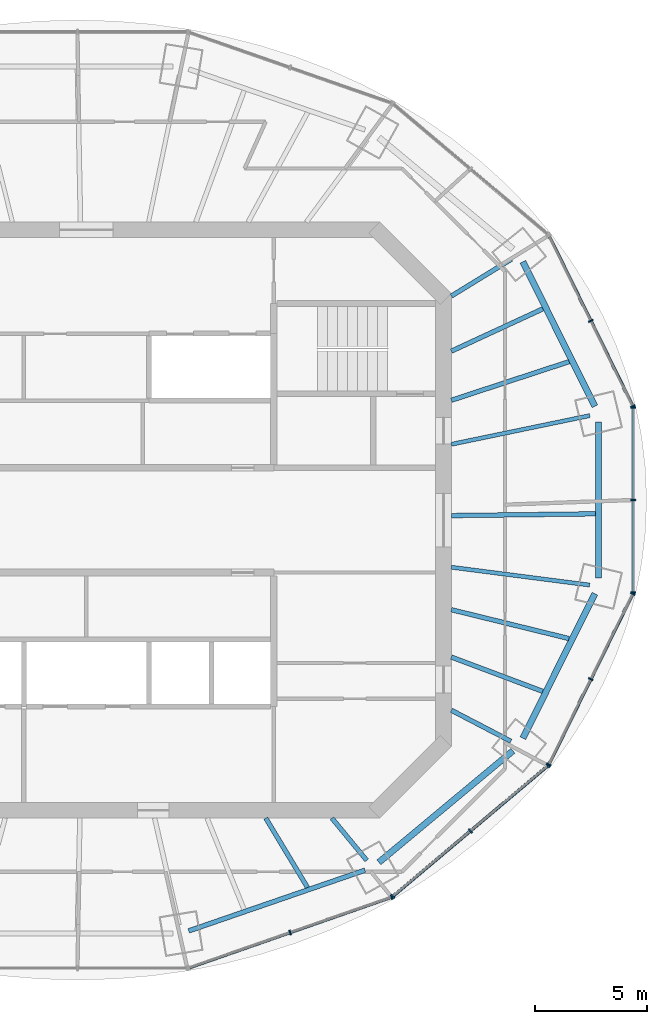
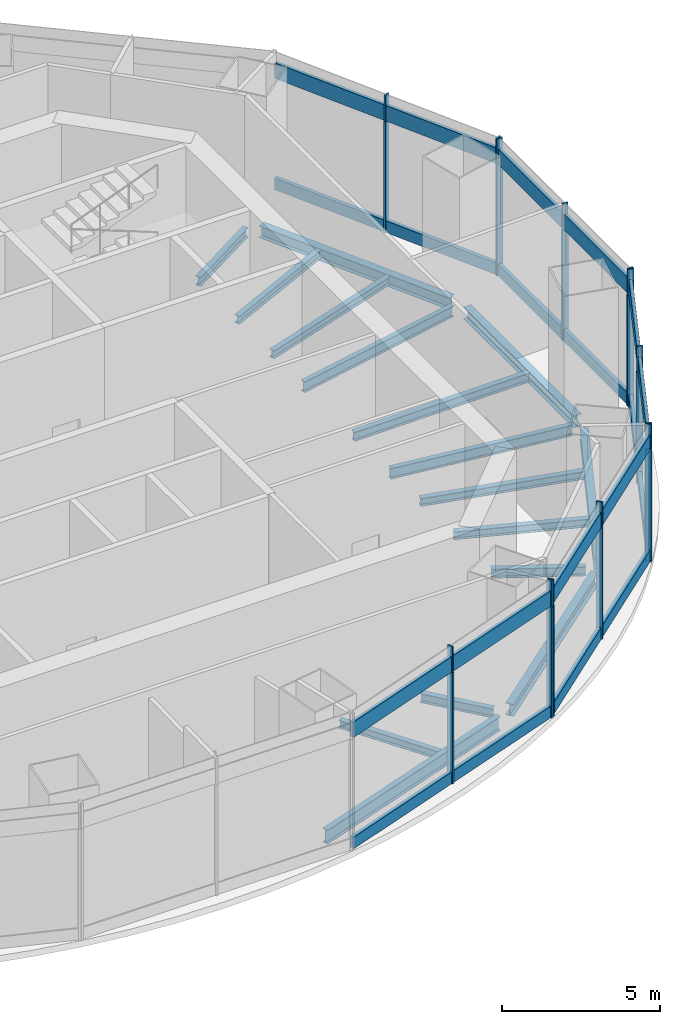
# One storey, part 4 of 13: 36 members, 16 beams, 10 elements without a shape of their own.
"""IFC4 building model written with IfcOpenShell, lengths in metres."""

from ifc_helpers import new_model, si_unit, direction, frame, origin, origin_2d, place, context, subcontext, project, spatial, rectangle, i_section, extrude, material, material_profile, profile_set, type_object, element, aggregate, save


model = new_model("IFC4")

# Units and contexts
model_context = context("Model", 3, precision=1e-05, world=origin(), true_north=direction((0.0, 1.0)))
body_context = subcontext(model_context, "Body", "Model", "MODEL_VIEW")
ifc_project = project(units=[si_unit("LENGTHUNIT", "METRE"), si_unit("AREAUNIT", "SQUARE_METRE"), si_unit("VOLUMEUNIT", "CUBIC_METRE"), si_unit("PLANEANGLEUNIT", "RADIAN"), si_unit("MASSUNIT", "GRAM", prefix="KILO")], contexts=[model_context])

# Site, building, storey
site_placement = place(None, origin())
site = spatial("IfcSite", under=ifc_project, at=site_placement, CompositionType="ELEMENT")
building_placement = place(site_placement, origin())
building = spatial("IfcBuilding", under=site, at=building_placement, Name="Marenthal Gate Tower", CompositionType="ELEMENT")
storey_placement = place(building_placement, frame((0.0, 0.0, 401.949951171875)))
storey = spatial("IfcBuildingStorey", under=building, at=storey_placement, Name="L91", CompositionType="ELEMENT", Elevation=401.949951171875)

# Curtain wall, members
ifc_material_1 = material(Name="Aluminium and glass", Category="aluminium")
curtain_wall_type_1 = type_object("IfcCurtainWallType", Name="Curtain wall crown clad", PredefinedType="NOTDEFINED", material=ifc_material_1)
curtain_wall_1_placement = place(storey_placement, origin())
curtain_wall_1 = element("IfcCurtainWall", 1, at=curtain_wall_1_placement, inside=storey, type_object=curtain_wall_type_1, Name="Curtain wall L91 bay 1 head band", PredefinedType="NOTDEFINED")
ifc_material_2 = material(Name="Aluminium", Category="aluminium")
ifc_material_profile_1 = material_profile(ifc_material_2, rectangle(XDim=0.199951171875, YDim=0.06005859375, at=origin_2d()), Name="60x200 aluminium mullion")
ifc_profile_set_1 = profile_set([ifc_material_profile_1], Name="Aluminium")
member_type_1 = type_object("IfcMemberType", Name="Mullion 60x200 crown clad", PredefinedType="MULLION", material=ifc_profile_set_1)
member_1_placement = place(storey_placement, frame((24.47900390625, 5.097900390625, 4.300048828125), z_axis=(0.0, 0.0, 1.0), x_axis=(-0.897385793576, -0.441246798842, 0.0)))
member_1 = element("IfcMember", 2, at=member_1_placement, type_object=member_type_1, Name="Mullion L91 bay 1.1", PredefinedType="MULLION", context=body_context, shape_type="SweptSolid", body=[
    extrude(rectangle(XDim=0.199951171875, YDim=0.06005859375, at=origin_2d()), origin(), (0.0, 0.0, 1.0), 1.0),
])
member_2_placement = place(storey_placement, frame((22.597412109375, 8.924560546875, 4.300048828125), z_axis=(0.0, 0.0, 1.0), x_axis=(-0.897385793576, -0.441246798842, 0.0)))
member_2 = element("IfcMember", 3, at=member_2_placement, type_object=member_type_1, Name="Mullion L91 bay 1.2", PredefinedType="MULLION", context=body_context, shape_type="SweptSolid", body=[
    extrude(rectangle(XDim=0.199951171875, YDim=0.06005859375, at=origin_2d()), origin(), (0.0, 0.0, 1.0), 1.0),
])

curtain_wall_2_placement = place(storey_placement, origin())
curtain_wall_2 = element("IfcCurtainWall", 4, at=curtain_wall_2_placement, inside=storey, type_object=curtain_wall_type_1, Name="Curtain wall L91 bay 13 head band", PredefinedType="NOTDEFINED")
member_3_placement = place(storey_placement, frame((9.1259765625, -18.472900390625, 4.300048828125), z_axis=(0.0, 0.0, 1.0), x_axis=(-0.329453888639, 0.944171666203, 0.0)))
member_3 = element("IfcMember", 5, at=member_3_placement, type_object=member_type_1, Name="Mullion L91 bay 13.2", PredefinedType="MULLION", context=body_context, shape_type="SweptSolid", body=[
    extrude(rectangle(XDim=0.199951171875, YDim=0.06005859375, at=origin_2d()), origin(), (0.0, 0.0, 1.0), 1.0),
])
member_4_placement = place(storey_placement, frame((13.672119140625, -16.88671875, 4.300048828125), z_axis=(0.0, 0.0, 1.0), x_axis=(-0.329453888639, 0.944171666203, 0.0)))
member_4 = element("IfcMember", 6, at=member_4_placement, type_object=member_type_1, Name="Mullion L91 bay 13.3", PredefinedType="MULLION", context=body_context, shape_type="SweptSolid", body=[
    extrude(rectangle(XDim=0.199951171875, YDim=0.06005859375, at=origin_2d()), origin(), (0.0, 0.0, 1.0), 1.0),
])

curtain_wall_3_placement = place(storey_placement, origin())
curtain_wall_3 = element("IfcCurtainWall", 7, at=curtain_wall_3_placement, inside=storey, type_object=curtain_wall_type_1, Name="Curtain wall L91 bay 14 head band", PredefinedType="NOTDEFINED")
member_5_placement = place(storey_placement, frame((13.723388671875, -16.857421875, 4.300048828125), z_axis=(0.0, 0.0, 1.0), x_axis=(-0.644265226944, 0.764802142616, 0.0)))
member_5 = element("IfcMember", 8, at=member_5_placement, type_object=member_type_1, Name="Mullion L91 bay 14.1", PredefinedType="MULLION", context=body_context, shape_type="SweptSolid", body=[
    extrude(rectangle(XDim=0.199951171875, YDim=0.06005859375, at=origin_2d()), origin(), (0.0, 0.0, 1.0), 1.0),
])
member_6_placement = place(storey_placement, frame((17.20166015625, -13.927490234375, 4.300048828125), z_axis=(0.0, 0.0, 1.0), x_axis=(-0.644265226944, 0.764802142616, 0.0)))
member_6 = element("IfcMember", 9, at=member_6_placement, type_object=member_type_1, Name="Mullion L91 bay 14.2", PredefinedType="MULLION", context=body_context, shape_type="SweptSolid", body=[
    extrude(rectangle(XDim=0.199951171875, YDim=0.06005859375, at=origin_2d()), origin(), (0.0, 0.0, 1.0), 1.0),
])
member_7_placement = place(storey_placement, frame((20.6796875, -10.997314453125, 4.300048828125), z_axis=(0.0, 0.0, 1.0), x_axis=(-0.644265226944, 0.764802142616, 0.0)))
member_7 = element("IfcMember", 10, at=member_7_placement, type_object=member_type_1, Name="Mullion L91 bay 14.3", PredefinedType="MULLION", context=body_context, shape_type="SweptSolid", body=[
    extrude(rectangle(XDim=0.199951171875, YDim=0.06005859375, at=origin_2d()), origin(), (0.0, 0.0, 1.0), 1.0),
])

curtain_wall_4_placement = place(storey_placement, origin())
curtain_wall_4 = element("IfcCurtainWall", 11, at=curtain_wall_4_placement, inside=storey, type_object=curtain_wall_type_1, Name="Curtain wall L91 bay 15 head band", PredefinedType="NOTDEFINED")
member_8_placement = place(storey_placement, frame((20.7158203125, -10.951171875, 4.300048828125), z_axis=(0.0, 0.0, 1.0), x_axis=(-0.897385793576, 0.441246798842, 0.0)))
member_8 = element("IfcMember", 12, at=member_8_placement, type_object=member_type_1, Name="Mullion L91 bay 15.1", PredefinedType="MULLION", context=body_context, shape_type="SweptSolid", body=[
    extrude(rectangle(XDim=0.199951171875, YDim=0.06005859375, at=origin_2d()), origin(), (0.0, 0.0, 1.0), 1.0),
])
member_9_placement = place(storey_placement, frame((22.597412109375, -7.12451171875, 4.300048828125), z_axis=(0.0, 0.0, 1.0), x_axis=(-0.897385793576, 0.441246798842, 0.0)))
member_9 = element("IfcMember", 13, at=member_9_placement, type_object=member_type_1, Name="Mullion L91 bay 15.2", PredefinedType="MULLION", context=body_context, shape_type="SweptSolid", body=[
    extrude(rectangle(XDim=0.199951171875, YDim=0.06005859375, at=origin_2d()), origin(), (0.0, 0.0, 1.0), 1.0),
])
member_10_placement = place(storey_placement, frame((24.47900390625, -3.2978515625, 4.300048828125), z_axis=(0.0, 0.0, 1.0), x_axis=(-0.897385793576, 0.441246798842, 0.0)))
member_10 = element("IfcMember", 14, at=member_10_placement, type_object=member_type_1, Name="Mullion L91 bay 15.3", PredefinedType="MULLION", context=body_context, shape_type="SweptSolid", body=[
    extrude(rectangle(XDim=0.199951171875, YDim=0.06005859375, at=origin_2d()), origin(), (0.0, 0.0, 1.0), 1.0),
])

curtain_wall_5_placement = place(storey_placement, origin())
curtain_wall_5 = element("IfcCurtainWall", 15, at=curtain_wall_5_placement, inside=storey, type_object=curtain_wall_type_1, Name="Curtain wall L91 bay 16 head band", PredefinedType="NOTDEFINED")
member_11_placement = place(storey_placement, frame((24.4921875, -3.240966796875, 4.300048828125), z_axis=(0.0, 0.0, 1.0), x_axis=(-1.0, 0.0, 0.0)))
member_11 = element("IfcMember", 16, at=member_11_placement, type_object=member_type_1, Name="Mullion L91 bay 16.1", PredefinedType="MULLION", context=body_context, shape_type="SweptSolid", body=[
    extrude(rectangle(XDim=0.199951171875, YDim=0.06005859375, at=origin_2d()), origin(), (0.0, 0.0, 1.0), 1.0),
])
member_12_placement = place(storey_placement, frame((24.4921875, 0.89990234375, 4.300048828125), z_axis=(0.0, 0.0, 1.0), x_axis=(-1.0, 0.0, 0.0)))
member_12 = element("IfcMember", 17, at=member_12_placement, type_object=member_type_1, Name="Mullion L91 bay 16.2", PredefinedType="MULLION", context=body_context, shape_type="SweptSolid", body=[
    extrude(rectangle(XDim=0.199951171875, YDim=0.06005859375, at=origin_2d()), origin(), (0.0, 0.0, 1.0), 1.0),
])
member_13_placement = place(storey_placement, frame((24.4921875, 5.041015625, 4.300048828125), z_axis=(0.0, 0.0, 1.0), x_axis=(-1.0, 0.0, 0.0)))
member_13 = element("IfcMember", 18, at=member_13_placement, type_object=member_type_1, Name="Mullion L91 bay 16.3", PredefinedType="MULLION", context=body_context, shape_type="SweptSolid", body=[
    extrude(rectangle(XDim=0.199951171875, YDim=0.06005859375, at=origin_2d()), origin(), (0.0, 0.0, 1.0), 1.0),
])

ifc_material_3 = material(Name="Aluminium and glass", Category="aluminium")
curtain_wall_type_2 = type_object("IfcCurtainWallType", Name="Curtain wall observation", PredefinedType="NOTDEFINED", material=ifc_material_3)
curtain_wall_6_placement = place(storey_placement, origin())
curtain_wall_6 = element("IfcCurtainWall", 19, at=curtain_wall_6_placement, inside=storey, type_object=curtain_wall_type_2, Name="Curtain wall L91 bay 1", PredefinedType="NOTDEFINED")
ifc_material_4 = material(Name="Aluminium", Category="aluminium")
ifc_material_profile_2 = material_profile(ifc_material_4, rectangle(XDim=0.219970703125, YDim=0.070068359375, at=origin_2d()), Name="70x220 aluminium mullion")
ifc_profile_set_2 = profile_set([ifc_material_profile_2], Name="Aluminium")
member_type_2 = type_object("IfcMemberType", Name="Mullion 70x220 observation", PredefinedType="MULLION", material=ifc_profile_set_2)
member_14_placement = place(storey_placement, frame((24.47900390625, 5.097900390625, 0.0), z_axis=(0.0, 0.0, 1.0), x_axis=(-0.897385793576, -0.441246798842, 0.0)))
member_14 = element("IfcMember", 20, at=member_14_placement, type_object=member_type_2, Name="Mullion L91 bay 1.1", PredefinedType="MULLION", context=body_context, shape_type="SweptSolid", body=[
    extrude(rectangle(XDim=0.219970703125, YDim=0.070068359375, at=origin_2d()), origin(), (0.0, 0.0, 1.0), 4.300048828125),
])
member_15_placement = place(storey_placement, frame((22.597412109375, 8.924560546875, 0.0), z_axis=(0.0, 0.0, 1.0), x_axis=(-0.897385793576, -0.441246798842, 0.0)))
member_15 = element("IfcMember", 21, at=member_15_placement, type_object=member_type_2, Name="Mullion L91 bay 1.2", PredefinedType="MULLION", context=body_context, shape_type="SweptSolid", body=[
    extrude(rectangle(XDim=0.219970703125, YDim=0.070068359375, at=origin_2d()), origin(), (0.0, 0.0, 1.0), 4.300048828125),
])

curtain_wall_7_placement = place(storey_placement, origin())
curtain_wall_7 = element("IfcCurtainWall", 22, at=curtain_wall_7_placement, inside=storey, type_object=curtain_wall_type_2, Name="Curtain wall L91 bay 13", PredefinedType="NOTDEFINED")
member_16_placement = place(storey_placement, frame((9.1259765625, -18.472900390625, 0.0), z_axis=(0.0, 0.0, 1.0), x_axis=(-0.329453888639, 0.944171666203, 0.0)))
member_16 = element("IfcMember", 23, at=member_16_placement, type_object=member_type_2, Name="Mullion L91 bay 13.2", PredefinedType="MULLION", context=body_context, shape_type="SweptSolid", body=[
    extrude(rectangle(XDim=0.219970703125, YDim=0.070068359375, at=origin_2d()), origin(), (0.0, 0.0, 1.0), 4.300048828125),
])
member_17_placement = place(storey_placement, frame((13.672119140625, -16.88671875, 0.0), z_axis=(0.0, 0.0, 1.0), x_axis=(-0.329453888639, 0.944171666203, 0.0)))
member_17 = element("IfcMember", 24, at=member_17_placement, type_object=member_type_2, Name="Mullion L91 bay 13.3", PredefinedType="MULLION", context=body_context, shape_type="SweptSolid", body=[
    extrude(rectangle(XDim=0.219970703125, YDim=0.070068359375, at=origin_2d()), origin(), (0.0, 0.0, 1.0), 4.300048828125),
])

curtain_wall_8_placement = place(storey_placement, origin())
curtain_wall_8 = element("IfcCurtainWall", 25, at=curtain_wall_8_placement, inside=storey, type_object=curtain_wall_type_2, Name="Curtain wall L91 bay 14", PredefinedType="NOTDEFINED")
member_18_placement = place(storey_placement, frame((13.723388671875, -16.857421875, 0.0), z_axis=(0.0, 0.0, 1.0), x_axis=(-0.644265226944, 0.764802142616, 0.0)))
member_18 = element("IfcMember", 26, at=member_18_placement, type_object=member_type_2, Name="Mullion L91 bay 14.1", PredefinedType="MULLION", context=body_context, shape_type="SweptSolid", body=[
    extrude(rectangle(XDim=0.219970703125, YDim=0.070068359375, at=origin_2d()), origin(), (0.0, 0.0, 1.0), 4.300048828125),
])
member_19_placement = place(storey_placement, frame((17.20166015625, -13.927490234375, 0.0), z_axis=(0.0, 0.0, 1.0), x_axis=(-0.644265226944, 0.764802142616, 0.0)))
member_19 = element("IfcMember", 27, at=member_19_placement, type_object=member_type_2, Name="Mullion L91 bay 14.2", PredefinedType="MULLION", context=body_context, shape_type="SweptSolid", body=[
    extrude(rectangle(XDim=0.219970703125, YDim=0.070068359375, at=origin_2d()), origin(), (0.0, 0.0, 1.0), 4.300048828125),
])
member_20_placement = place(storey_placement, frame((20.6796875, -10.997314453125, 0.0), z_axis=(0.0, 0.0, 1.0), x_axis=(-0.644265226944, 0.764802142616, 0.0)))
member_20 = element("IfcMember", 28, at=member_20_placement, type_object=member_type_2, Name="Mullion L91 bay 14.3", PredefinedType="MULLION", context=body_context, shape_type="SweptSolid", body=[
    extrude(rectangle(XDim=0.219970703125, YDim=0.070068359375, at=origin_2d()), origin(), (0.0, 0.0, 1.0), 4.300048828125),
])

curtain_wall_9_placement = place(storey_placement, origin())
curtain_wall_9 = element("IfcCurtainWall", 29, at=curtain_wall_9_placement, inside=storey, type_object=curtain_wall_type_2, Name="Curtain wall L91 bay 15", PredefinedType="NOTDEFINED")
member_21_placement = place(storey_placement, frame((20.7158203125, -10.951171875, 0.0), z_axis=(0.0, 0.0, 1.0), x_axis=(-0.897385793576, 0.441246798842, 0.0)))
member_21 = element("IfcMember", 30, at=member_21_placement, type_object=member_type_2, Name="Mullion L91 bay 15.1", PredefinedType="MULLION", context=body_context, shape_type="SweptSolid", body=[
    extrude(rectangle(XDim=0.219970703125, YDim=0.070068359375, at=origin_2d()), origin(), (0.0, 0.0, 1.0), 4.300048828125),
])
member_22_placement = place(storey_placement, frame((22.597412109375, -7.12451171875, 0.0), z_axis=(0.0, 0.0, 1.0), x_axis=(-0.897385793576, 0.441246798842, 0.0)))
member_22 = element("IfcMember", 31, at=member_22_placement, type_object=member_type_2, Name="Mullion L91 bay 15.2", PredefinedType="MULLION", context=body_context, shape_type="SweptSolid", body=[
    extrude(rectangle(XDim=0.219970703125, YDim=0.070068359375, at=origin_2d()), origin(), (0.0, 0.0, 1.0), 4.300048828125),
])
member_23_placement = place(storey_placement, frame((24.47900390625, -3.2978515625, 0.0), z_axis=(0.0, 0.0, 1.0), x_axis=(-0.897385793576, 0.441246798842, 0.0)))
member_23 = element("IfcMember", 32, at=member_23_placement, type_object=member_type_2, Name="Mullion L91 bay 15.3", PredefinedType="MULLION", context=body_context, shape_type="SweptSolid", body=[
    extrude(rectangle(XDim=0.219970703125, YDim=0.070068359375, at=origin_2d()), origin(), (0.0, 0.0, 1.0), 4.300048828125),
])

curtain_wall_10_placement = place(storey_placement, origin())
curtain_wall_10 = element("IfcCurtainWall", 33, at=curtain_wall_10_placement, inside=storey, type_object=curtain_wall_type_2, Name="Curtain wall L91 bay 16", PredefinedType="NOTDEFINED")
member_24_placement = place(storey_placement, frame((24.4921875, -3.240966796875, 0.0), z_axis=(0.0, 0.0, 1.0), x_axis=(-1.0, 0.0, 0.0)))
member_24 = element("IfcMember", 34, at=member_24_placement, type_object=member_type_2, Name="Mullion L91 bay 16.1", PredefinedType="MULLION", context=body_context, shape_type="SweptSolid", body=[
    extrude(rectangle(XDim=0.219970703125, YDim=0.070068359375, at=origin_2d()), origin(), (0.0, 0.0, 1.0), 4.300048828125),
])
member_25_placement = place(storey_placement, frame((24.4921875, 0.89990234375, 0.0), z_axis=(0.0, 0.0, 1.0), x_axis=(-1.0, 0.0, 0.0)))
member_25 = element("IfcMember", 35, at=member_25_placement, type_object=member_type_2, Name="Mullion L91 bay 16.2", PredefinedType="MULLION", context=body_context, shape_type="SweptSolid", body=[
    extrude(rectangle(XDim=0.219970703125, YDim=0.070068359375, at=origin_2d()), origin(), (0.0, 0.0, 1.0), 4.300048828125),
])
member_26_placement = place(storey_placement, frame((24.4921875, 5.041015625, 0.0), z_axis=(0.0, 0.0, 1.0), x_axis=(-1.0, 0.0, 0.0)))
member_26 = element("IfcMember", 36, at=member_26_placement, type_object=member_type_2, Name="Mullion L91 bay 16.3", PredefinedType="MULLION", context=body_context, shape_type="SweptSolid", body=[
    extrude(rectangle(XDim=0.219970703125, YDim=0.070068359375, at=origin_2d()), origin(), (0.0, 0.0, 1.0), 4.300048828125),
])

# Member
ifc_material_5 = material(Name="Aluminium", Category="aluminium")
ifc_material_profile_3 = material_profile(ifc_material_5, rectangle(XDim=0.1201171875, YDim=0.60009765625, at=origin_2d()), Name="120x600 aluminium transom")
ifc_profile_set_3 = profile_set([ifc_material_profile_3], Name="Aluminium")
member_type_3 = type_object("IfcMemberType", Name="Transom 120x600 crown clad", PredefinedType="USERDEFINED", material=ifc_profile_set_3)
member_27_placement = place(storey_placement, frame((24.4658203125, 5.124755859375, 4.60009765625), z_axis=(-0.441230221133, 0.897393944686, 0.0), x_axis=(-0.897393944686, -0.441230221133, 0.0)))
member_27 = element("IfcMember", 37, at=member_27_placement, type_object=member_type_3, Name="Transom L91 bay 1", ObjectType="TRANSOM", PredefinedType="USERDEFINED", context=body_context, shape_type="SweptSolid", body=[
    extrude(rectangle(XDim=0.1201171875, YDim=0.60009765625, at=origin_2d()), origin(), (0.0, 0.0, 1.0), 8.468505859375),
])

aggregate(curtain_wall_1, [member_1, member_2, member_27])

member_28_placement = place(storey_placement, frame((4.608154296875, -20.04931640625, 4.60009765625), z_axis=(0.944172132846, 0.329452551299, 0.0), x_axis=(-0.329452551299, 0.944172132846, 0.0)))
member_28 = element("IfcMember", 38, at=member_28_placement, type_object=member_type_3, Name="Transom L91 bay 13", ObjectType="TRANSOM", PredefinedType="USERDEFINED", context=body_context, shape_type="SweptSolid", body=[
    extrude(rectangle(XDim=0.1201171875, YDim=0.60009765625, at=origin_2d()), origin(), (0.0, 0.0, 1.0), 9.56982421875),
])

aggregate(curtain_wall_2, [member_3, member_4, member_28])

member_29_placement = place(storey_placement, frame((13.746337890625, -16.838134765625, 4.60009765625), z_axis=(0.764801880801, 0.644265537743, 0.0), x_axis=(-0.644265537743, 0.764801880801, 0.0)))
member_29 = element("IfcMember", 39, at=member_29_placement, type_object=member_type_3, Name="Transom L91 bay 14", ObjectType="TRANSOM", PredefinedType="USERDEFINED", context=body_context, shape_type="SweptSolid", body=[
    extrude(rectangle(XDim=0.1201171875, YDim=0.60009765625, at=origin_2d()), origin(), (0.0, 0.0, 1.0), 9.03564453125),
])

aggregate(curtain_wall_3, [member_5, member_6, member_7, member_29])

member_30_placement = place(storey_placement, frame((20.729248046875, -10.92431640625, 4.60009765625), z_axis=(0.441241636508, 0.89738833189, 0.0), x_axis=(-0.89738833189, 0.441241636508, 0.0)))
member_30 = element("IfcMember", 40, at=member_30_placement, type_object=member_type_3, Name="Transom L91 bay 15", ObjectType="TRANSOM", PredefinedType="USERDEFINED", context=body_context, shape_type="SweptSolid", body=[
    extrude(rectangle(XDim=0.1201171875, YDim=0.60009765625, at=origin_2d()), origin(), (0.0, 0.0, 1.0), 8.46826171875),
])

aggregate(curtain_wall_4, [member_8, member_9, member_10, member_30])

member_31_placement = place(storey_placement, frame((24.4921875, -3.2109375, 4.60009765625), z_axis=(0.0, 1.0, 0.0), x_axis=(-1.0, 0.0, 0.0)))
member_31 = element("IfcMember", 41, at=member_31_placement, type_object=member_type_3, Name="Transom L91 bay 16", ObjectType="TRANSOM", PredefinedType="USERDEFINED", context=body_context, shape_type="SweptSolid", body=[
    extrude(rectangle(XDim=0.1201171875, YDim=0.60009765625, at=origin_2d()), origin(), (0.0, 0.0, 1.0), 8.221923828125),
])

aggregate(curtain_wall_5, [member_11, member_12, member_13, member_31])

ifc_material_6 = material(Name="Aluminium", Category="aluminium")
ifc_material_profile_4 = material_profile(ifc_material_6, rectangle(XDim=0.139892578125, YDim=0.449951171875, at=origin_2d()), Name="140x450 aluminium transom")
ifc_profile_set_4 = profile_set([ifc_material_profile_4], Name="Aluminium")
member_type_4 = type_object("IfcMemberType", Name="Transom 140x450 observation", PredefinedType="USERDEFINED", material=ifc_profile_set_4)
member_32_placement = place(storey_placement, frame((24.463623046875, 5.12939453125, 0.22509765625), z_axis=(-0.441246116327, 0.89738612917, 0.0), x_axis=(-0.89738612917, -0.441246116327, 0.0)))
member_32 = element("IfcMember", 42, at=member_32_placement, type_object=member_type_4, Name="Transom L91 bay 1", ObjectType="TRANSOM", PredefinedType="USERDEFINED", context=body_context, shape_type="SweptSolid", body=[
    extrude(rectangle(XDim=0.139892578125, YDim=0.449951171875, at=origin_2d()), origin(), (0.0, 0.0, 1.0), 8.458251953125),
])

aggregate(curtain_wall_6, [member_14, member_15, member_32])

member_33_placement = place(storey_placement, frame((4.61279296875, -20.0478515625, 0.22509765625), z_axis=(0.944170071894, 0.329458457684, 0.0), x_axis=(-0.329458457684, 0.944170071894, 0.0)))
member_33 = element("IfcMember", 43, at=member_33_placement, type_object=member_type_4, Name="Transom L91 bay 13", ObjectType="TRANSOM", PredefinedType="USERDEFINED", context=body_context, shape_type="SweptSolid", body=[
    extrude(rectangle(XDim=0.139892578125, YDim=0.449951171875, at=origin_2d()), origin(), (0.0, 0.0, 1.0), 9.56005859375),
])

aggregate(curtain_wall_7, [member_16, member_17, member_33])

member_34_placement = place(storey_placement, frame((13.75, -16.8349609375, 0.22509765625), z_axis=(0.764811585379, 0.644254017349, 0.0), x_axis=(-0.644254017349, 0.764811585379, 0.0)))
member_34 = element("IfcMember", 44, at=member_34_placement, type_object=member_type_4, Name="Transom L91 bay 14", ObjectType="TRANSOM", PredefinedType="USERDEFINED", context=body_context, shape_type="SweptSolid", body=[
    extrude(rectangle(XDim=0.139892578125, YDim=0.449951171875, at=origin_2d()), origin(), (0.0, 0.0, 1.0), 9.02587890625),
])

aggregate(curtain_wall_8, [member_18, member_19, member_20, member_34])

member_35_placement = place(storey_placement, frame((20.7314453125, -10.919677734375, 0.22509765625), z_axis=(0.441246116327, 0.89738612917, 0.0), x_axis=(-0.89738612917, 0.441246116327, 0.0)))
member_35 = element("IfcMember", 45, at=member_35_placement, type_object=member_type_4, Name="Transom L91 bay 15", ObjectType="TRANSOM", PredefinedType="USERDEFINED", context=body_context, shape_type="SweptSolid", body=[
    extrude(rectangle(XDim=0.139892578125, YDim=0.449951171875, at=origin_2d()), origin(), (0.0, 0.0, 1.0), 8.458251953125),
])

aggregate(curtain_wall_9, [member_21, member_22, member_23, member_35])

member_36_placement = place(storey_placement, frame((24.4921875, -3.2060546875, 0.22509765625), z_axis=(0.0, 1.0, 0.0), x_axis=(-1.0, 0.0, 0.0)))
member_36 = element("IfcMember", 46, at=member_36_placement, type_object=member_type_4, Name="Transom L91 bay 16", ObjectType="TRANSOM", PredefinedType="USERDEFINED", context=body_context, shape_type="SweptSolid", body=[
    extrude(rectangle(XDim=0.139892578125, YDim=0.449951171875, at=origin_2d()), origin(), (0.0, 0.0, 1.0), 8.212158203125),
])

aggregate(curtain_wall_10, [member_24, member_25, member_26, member_36])

# Beams
ifc_material_7 = material(Name="Steel S355", Category="steel")
ifc_material_profile_5 = material_profile(ifc_material_7, i_section(OverallWidth=0.205078125, OverallDepth=0.31005859375, WebThickness=0.009521484375, FlangeThickness=0.016357421875, FilletRadius=0.0126953125, at=origin_2d()), Name="W310X74")
ifc_profile_set_5 = profile_set([ifc_material_profile_5], Name="Steel S355")
beam_type_1 = type_object("IfcBeamType", Name="W310X74 beam", PredefinedType="BEAM", material=ifc_profile_set_5)
beam_1_placement = place(storey_placement, frame((21.624267578125, 7.097900390625, -0.405029296875), z_axis=(-0.950124683801, -0.311870301941, 0.0), x_axis=(0.311870301941, -0.950124683801, 0.0)))
element("IfcBeam", 47, at=beam_1_placement, inside=storey, type_object=beam_type_1, Name="BM-L91-17", PredefinedType="BEAM", context=body_context, shape_type="SweptSolid", body=[
    extrude(i_section(OverallWidth=0.205078125, OverallDepth=0.31005859375, WebThickness=0.009521484375, FlangeThickness=0.016357421875, FilletRadius=0.0126953125, at=origin_2d()), origin(), (0.0, 0.0, 1.0), 5.551025390625),
])
beam_2_placement = place(storey_placement, frame((20.447021484375, 9.46240234375, -0.405029296875), z_axis=(-0.907528370112, -0.419990782569, 0.0), x_axis=(0.419990782569, -0.907528370112, 0.0)))
element("IfcBeam", 48, at=beam_2_placement, inside=storey, type_object=beam_type_1, Name="BM-L91-18", PredefinedType="BEAM", context=body_context, shape_type="SweptSolid", body=[
    extrude(i_section(OverallWidth=0.205078125, OverallDepth=0.31005859375, WebThickness=0.009521484375, FlangeThickness=0.016357421875, FilletRadius=0.0126953125, at=origin_2d()), origin(), (0.0, 0.0, 1.0), 4.514404296875),
])
beam_3_placement = place(storey_placement, frame((9.90673828125, -16.455810546875, -0.405029296875), z_axis=(-0.515753029838, 0.856737306421, 0.0), x_axis=(-0.856737306421, -0.515753029838, 0.0)))
element("IfcBeam", 49, at=beam_3_placement, inside=storey, type_object=beam_type_1, Name="BM-L91-34", PredefinedType="BEAM", context=body_context, shape_type="SweptSolid", body=[
    extrude(i_section(OverallWidth=0.205078125, OverallDepth=0.31005859375, WebThickness=0.009521484375, FlangeThickness=0.016357421875, FilletRadius=0.0126953125, at=origin_2d()), origin(), (0.0, 0.0, 1.0), 3.625),
])
beam_4_placement = place(storey_placement, frame((20.4423828125, -7.671875, -0.405029296875), z_axis=(-0.936232735919, 0.351380511972, 0.0), x_axis=(-0.351380511972, -0.936232735919, 0.0)))
element("IfcBeam", 50, at=beam_4_placement, inside=storey, type_object=beam_type_1, Name="BM-L91-35", PredefinedType="BEAM", context=body_context, shape_type="SweptSolid", body=[
    extrude(i_section(OverallWidth=0.205078125, OverallDepth=0.31005859375, WebThickness=0.009521484375, FlangeThickness=0.016357421875, FilletRadius=0.0126953125, at=origin_2d()), origin(), (0.0, 0.0, 1.0), 4.37109375),
])
beam_5_placement = place(storey_placement, frame((21.619384765625, -5.307861328125, -0.405029296875), z_axis=(-0.971158178478, 0.238436138987, 0.0), x_axis=(-0.238436138987, -0.971158178478, 0.0)))
element("IfcBeam", 51, at=beam_5_placement, inside=storey, type_object=beam_type_1, Name="BM-L91-36", PredefinedType="BEAM", context=body_context, shape_type="SweptSolid", body=[
    extrude(i_section(OverallWidth=0.205078125, OverallDepth=0.31005859375, WebThickness=0.009521484375, FlangeThickness=0.016357421875, FilletRadius=0.0126953125, at=origin_2d()), origin(), (0.0, 0.0, 1.0), 5.42578125),
])
ifc_material_8 = material(Name="Steel S355", Category="steel")
ifc_material_profile_6 = material_profile(ifc_material_8, i_section(OverallWidth=0.205078125, OverallDepth=0.35302734375, WebThickness=0.009521484375, FlangeThickness=0.016845703125, FilletRadius=0.014892578125, at=origin_2d()), Name="W360X79")
ifc_profile_set_6 = profile_set([ifc_material_profile_6], Name="Steel S355")
beam_type_2 = type_object("IfcBeamType", Name="W360X79 beam", PredefinedType="BEAM", material=ifc_profile_set_6)
beam_6_placement = place(storey_placement, frame((19.0419921875, 11.687255859375, -0.426513671875), z_axis=(-0.852286702613, -0.523074924413, 0.0), x_axis=(0.523074924413, -0.852286702613, 0.0)))
element("IfcBeam", 52, at=beam_6_placement, inside=storey, type_object=beam_type_2, Name="BM-L91-02", PredefinedType="BEAM", context=body_context, shape_type="SweptSolid", body=[
    extrude(i_section(OverallWidth=0.205078125, OverallDepth=0.35302734375, WebThickness=0.009521484375, FlangeThickness=0.016845703125, FilletRadius=0.014892578125, at=origin_2d()), origin(), (0.0, 0.0, 1.0), 3.158447265625),
])
beam_7_placement = place(storey_placement, frame((12.55859375, -15.242919921875, -0.426513671875), z_axis=(-0.635836353216, 0.771823899558, 0.0), x_axis=(-0.771823899558, -0.635836353216, 0.0)))
element("IfcBeam", 53, at=beam_7_placement, inside=storey, type_object=beam_type_2, Name="BM-L91-14", PredefinedType="BEAM", context=body_context, shape_type="SweptSolid", body=[
    extrude(i_section(OverallWidth=0.205078125, OverallDepth=0.35302734375, WebThickness=0.009521484375, FlangeThickness=0.016845703125, FilletRadius=0.014892578125, at=origin_2d()), origin(), (0.0, 0.0, 1.0), 2.452392578125),
])
beam_8_placement = place(storey_placement, frame((19.0185546875, -9.9072265625, -0.426513671875), z_axis=(-0.88687114126, 0.462016859866, 0.0), x_axis=(-0.462016859866, -0.88687114126, 0.0)))
element("IfcBeam", 54, at=beam_8_placement, inside=storey, type_object=beam_type_2, Name="BM-L91-15", PredefinedType="BEAM", context=body_context, shape_type="SweptSolid", body=[
    extrude(i_section(OverallWidth=0.205078125, OverallDepth=0.35302734375, WebThickness=0.009521484375, FlangeThickness=0.016845703125, FilletRadius=0.014892578125, at=origin_2d()), origin(), (0.0, 0.0, 1.0), 3.0087890625),
])
beam_9_placement = place(storey_placement, frame((22.80322265625, 0.2802734375, -0.426513671875), z_axis=(-0.999924416424, -0.012294772826, 0.0), x_axis=(0.012294772826, -0.999924416424, 0.0)))
element("IfcBeam", 55, at=beam_9_placement, inside=storey, type_object=beam_type_2, Name="BM-L91-37", PredefinedType="BEAM", context=body_context, shape_type="SweptSolid", body=[
    extrude(i_section(OverallWidth=0.205078125, OverallDepth=0.35302734375, WebThickness=0.009521484375, FlangeThickness=0.016845703125, FilletRadius=0.014892578125, at=origin_2d()), origin(), (0.0, 0.0, 1.0), 6.45361328125),
])
ifc_material_9 = material(Name="Steel S355", Category="steel")
ifc_material_profile_7 = material_profile(ifc_material_9, i_section(OverallWidth=0.180908203125, OverallDepth=0.4169921875, WebThickness=0.010986328125, FlangeThickness=0.018310546875, FilletRadius=0.01025390625, at=origin_2d()), Name="W410X85")
ifc_profile_set_7 = profile_set([ifc_material_profile_7], Name="Steel S355")
beam_type_3 = type_object("IfcBeamType", Name="W410X85 beam", PredefinedType="BEAM", material=ifc_profile_set_7)
beam_10_placement = place(storey_placement, frame((22.55078125, 4.681396484375, -0.45849609375), z_axis=(-0.979128337285, -0.203242955908, 0.0), x_axis=(0.203242955908, -0.979128337285, 0.0)))
element("IfcBeam", 56, at=beam_10_placement, inside=storey, type_object=beam_type_3, Name="BM-L91-01", PredefinedType="BEAM", context=body_context, shape_type="SweptSolid", body=[
    extrude(i_section(OverallWidth=0.180908203125, OverallDepth=0.4169921875, WebThickness=0.010986328125, FlangeThickness=0.018310546875, FilletRadius=0.01025390625, at=origin_2d()), origin(), (0.0, 0.0, 1.0), 6.332763671875),
])
beam_11_placement = place(storey_placement, frame((22.541015625, -2.910888671875, -0.45849609375), z_axis=(-0.991762968322, 0.128086746638, 0.0), x_axis=(-0.128086746638, -0.991762968322, 0.0)))
element("IfcBeam", 57, at=beam_11_placement, inside=storey, type_object=beam_type_3, Name="BM-L91-16", PredefinedType="BEAM", context=body_context, shape_type="SweptSolid", body=[
    extrude(i_section(OverallWidth=0.180908203125, OverallDepth=0.4169921875, WebThickness=0.010986328125, FlangeThickness=0.018310546875, FilletRadius=0.01025390625, at=origin_2d()), origin(), (0.0, 0.0, 1.0), 6.242431640625),
])
ifc_material_10 = material(Name="Steel S355", Category="steel")
ifc_material_profile_8 = material_profile(ifc_material_10, i_section(OverallWidth=0.279052734375, OverallDepth=0.4619140625, WebThickness=0.0107421875, FlangeThickness=0.017333984375, FilletRadius=0.010009765625, at=origin_2d()), Name="W460X113")
ifc_profile_set_8 = profile_set([ifc_material_profile_8], Name="Steel S355")
beam_type_4 = type_object("IfcBeamType", Name="W460X113 beam", PredefinedType="BEAM", material=ifc_profile_set_8)
beam_12_placement = place(storey_placement, frame((22.776611328125, 5.09619140625, -0.48095703125), z_axis=(-0.445686804831, 0.895188958824, 0.0), x_axis=(-0.895188958824, -0.445686804831, 0.0)))
element("IfcBeam", 58, at=beam_12_placement, inside=storey, type_object=beam_type_4, Name="BM-L91-38", PredefinedType="BEAM", context=body_context, shape_type="SweptSolid", body=[
    extrude(i_section(OverallWidth=0.279052734375, OverallDepth=0.4619140625, WebThickness=0.0107421875, FlangeThickness=0.017333984375, FilletRadius=0.010009765625, at=origin_2d()), origin(), (0.0, 0.0, 1.0), 7.230712890625),
])
beam_13_placement = place(storey_placement, frame((13.103271484375, -15.32958984375, -0.48095703125), z_axis=(0.768754019675, 0.63954457017, 0.0), x_axis=(-0.63954457017, 0.768754019675, 0.0)))
element("IfcBeam", 59, at=beam_13_placement, inside=storey, type_object=beam_type_4, Name="BM-L91-51", PredefinedType="BEAM", context=body_context, shape_type="SweptSolid", body=[
    extrude(i_section(OverallWidth=0.279052734375, OverallDepth=0.4619140625, WebThickness=0.0107421875, FlangeThickness=0.017333984375, FilletRadius=0.010009765625, at=origin_2d()), origin(), (0.0, 0.0, 1.0), 7.809326171875),
])
beam_14_placement = place(storey_placement, frame((19.553955078125, -9.76904296875, -0.48095703125), z_axis=(0.445686804831, 0.895188958824, 0.0), x_axis=(-0.895188958824, 0.445686804831, 0.0)))
element("IfcBeam", 60, at=beam_14_placement, inside=storey, type_object=beam_type_4, Name="BM-L91-52", PredefinedType="BEAM", context=body_context, shape_type="SweptSolid", body=[
    extrude(i_section(OverallWidth=0.279052734375, OverallDepth=0.4619140625, WebThickness=0.0107421875, FlangeThickness=0.017333984375, FilletRadius=0.010009765625, at=origin_2d()), origin(), (0.0, 0.0, 1.0), 7.230712890625),
])
beam_15_placement = place(storey_placement, frame((22.942626953125, -2.5888671875, -0.48095703125), z_axis=(0.0, 1.0, 0.0), x_axis=(-1.0, 0.0, 0.0)))
element("IfcBeam", 61, at=beam_15_placement, inside=storey, type_object=beam_type_4, Name="BM-L91-53", PredefinedType="BEAM", context=body_context, shape_type="SweptSolid", body=[
    extrude(i_section(OverallWidth=0.279052734375, OverallDepth=0.4619140625, WebThickness=0.0107421875, FlangeThickness=0.017333984375, FilletRadius=0.010009765625, at=origin_2d()), origin(), (0.0, 0.0, 1.0), 6.977783203125),
])
ifc_material_11 = material(Name="Steel S355", Category="steel")
ifc_material_profile_9 = material_profile(ifc_material_11, i_section(OverallWidth=0.2119140625, OverallDepth=0.5439453125, WebThickness=0.01318359375, FlangeThickness=0.021240234375, FilletRadius=0.0126953125, at=origin_2d()), Name="W530X123")
ifc_profile_set_9 = profile_set([ifc_material_profile_9], Name="Steel S355")
beam_type_5 = type_object("IfcBeamType", Name="W530X123 beam", PredefinedType="BEAM", material=ifc_profile_set_9)
beam_16_placement = place(storey_placement, frame((4.58544921875, -18.401611328125, -0.52197265625), z_axis=(0.94543573541, 0.325808640478, 0.0), x_axis=(-0.325808640478, 0.94543573541, 0.0)))
element("IfcBeam", 62, at=beam_16_placement, inside=storey, type_object=beam_type_5, Name="BM-L91-50", PredefinedType="BEAM", context=body_context, shape_type="SweptSolid", body=[
    extrude(i_section(OverallWidth=0.2119140625, OverallDepth=0.5439453125, WebThickness=0.01318359375, FlangeThickness=0.021240234375, FilletRadius=0.0126953125, at=origin_2d()), origin(), (0.0, 0.0, 1.0), 8.34912109375),
])

save(model, "model.ifc")
